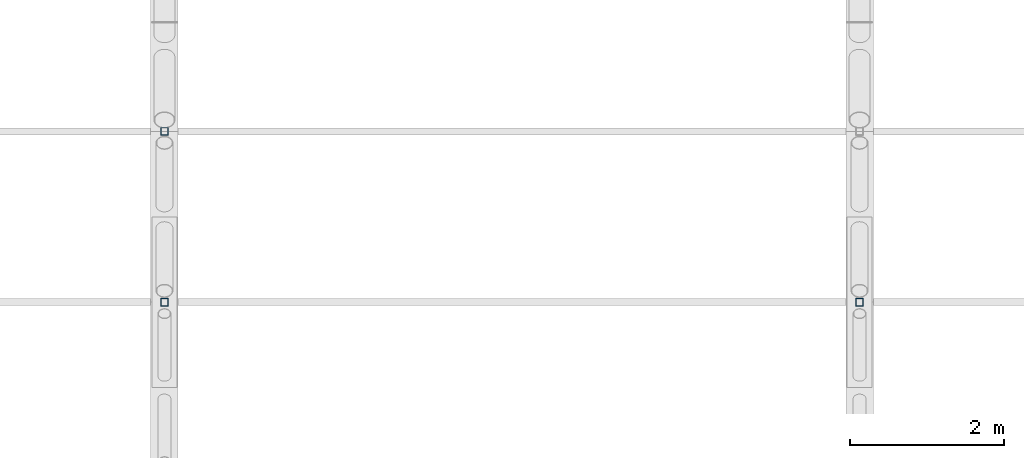
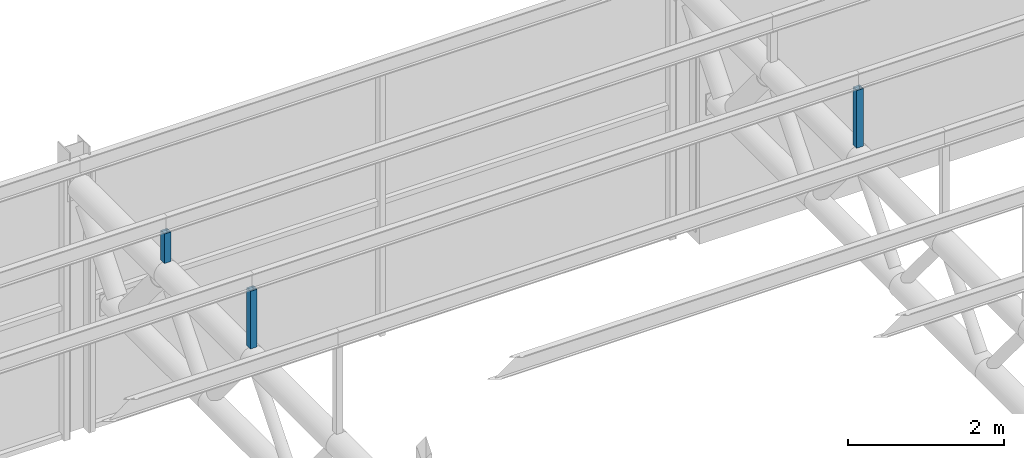
# One storey, part 96 of 138: 3 members.
"""IFC4 building model written with IfcOpenShell, lengths in metres."""

from ifc_helpers import new_model, si_unit, direction, frame, origin, origin_2d, place, context, subcontext, project, spatial, hollow_rectangle, extrude, material, material_profile, profile_set, type_object, element, save


model = new_model("IFC4")

# Units and contexts
model_context = context("Model", 3, precision=1e-05, world=origin(), true_north=direction((0.0, 1.0)))
body_context = subcontext(model_context, "Body", "Model", "MODEL_VIEW")
ifc_project = project(units=[si_unit("LENGTHUNIT", "METRE"), si_unit("AREAUNIT", "SQUARE_METRE"), si_unit("VOLUMEUNIT", "CUBIC_METRE"), si_unit("PLANEANGLEUNIT", "RADIAN"), si_unit("MASSUNIT", "GRAM", prefix="KILO")], contexts=[model_context])

# Site, building, storey
site_placement = place(None, origin())
site = spatial("IfcSite", under=ifc_project, at=site_placement, CompositionType="ELEMENT")
building_placement = place(site_placement, origin())
building = spatial("IfcBuilding", under=site, at=building_placement, Name="Corbel Yard City Hall", CompositionType="ELEMENT")
storey_placement = place(building_placement, frame((0.0, 0.0, 10.5)))
storey = spatial("IfcBuildingStorey", under=building, at=storey_placement, Name="L02", CompositionType="ELEMENT", Elevation=10.5)

# Members
ifc_material = material(Name="Steel Grade C450L0", Category="steel")
ifc_material_profile = material_profile(ifc_material, hollow_rectangle(XDim=0.10009765625, YDim=0.10009765625, WallThickness=0.006103515625, at=origin_2d()), Name="100x100x6.0SHS")
ifc_profile_set = profile_set([ifc_material_profile], Name="Steel Grade C450L0")
member_type = type_object("IfcMemberType", Name="Roof post 100x100x6.0SHS", PredefinedType="POST", material=ifc_profile_set)
member_1_placement = place(storey_placement, frame((135.0, 22.423828125, 4.10009765625), z_axis=(0.0, 0.0, 1.0), x_axis=(1.0, 0.0, 0.0)))
element("IfcMember", 1, at=member_1_placement, inside=storey, type_object=member_type, Name="Roof post 100x100x6.0SHS RP3", PredefinedType="POST", context=body_context, shape_type="SweptSolid", body=[
    extrude(hollow_rectangle(XDim=0.10009765625, YDim=0.10009765625, WallThickness=0.006103515625, at=origin_2d()), origin(), (0.0, 0.0, 1.0), 0.90625),
])
member_2_placement = place(storey_placement, frame((135.0, 24.6357421875, 4.10009765625), z_axis=(0.0, 0.0, 1.0), x_axis=(1.0, 0.0, 0.0)))
element("IfcMember", 2, at=member_2_placement, inside=storey, type_object=member_type, Name="Roof post 100x100x6.0SHS RP3", PredefinedType="POST", context=body_context, shape_type="SweptSolid", body=[
    extrude(hollow_rectangle(XDim=0.10009765625, YDim=0.10009765625, WallThickness=0.006103515625, at=origin_2d()), origin(), (0.0, 0.0, 1.0), 0.4638671875),
])
member_3_placement = place(storey_placement, frame((144.0, 22.423828125, 4.10009765625), z_axis=(0.0, 0.0, 1.0), x_axis=(1.0, 0.0, 0.0)))
element("IfcMember", 3, at=member_3_placement, inside=storey, type_object=member_type, Name="Roof post 100x100x6.0SHS RP3", PredefinedType="POST", context=body_context, shape_type="SweptSolid", body=[
    extrude(hollow_rectangle(XDim=0.10009765625, YDim=0.10009765625, WallThickness=0.006103515625, at=origin_2d()), origin(), (0.0, 0.0, 1.0), 0.90625),
])

save(model, "model.ifc")
